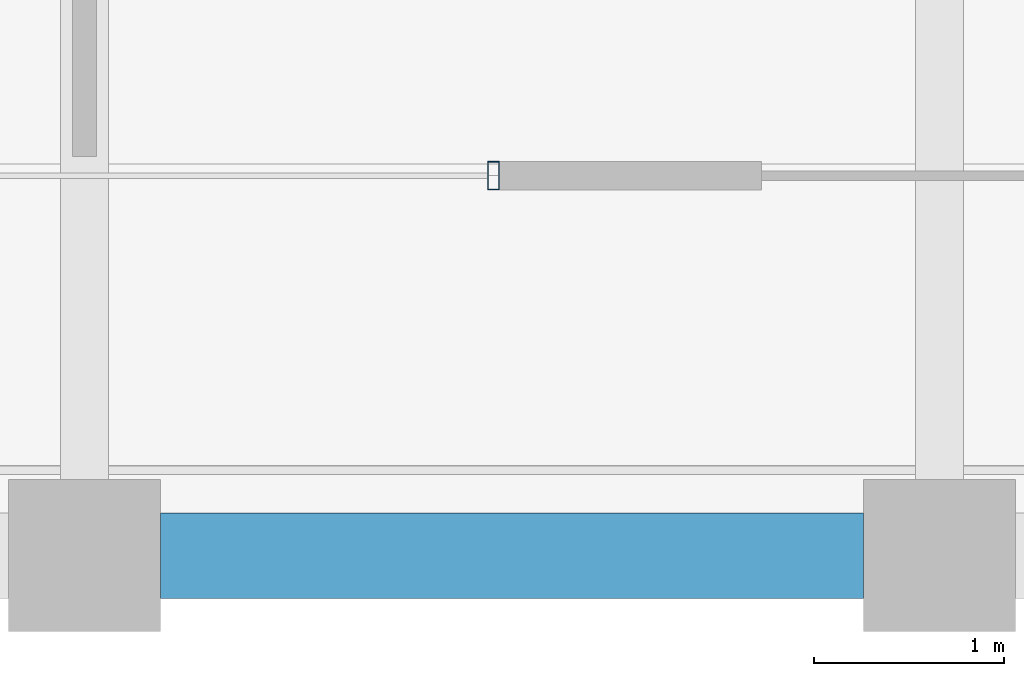
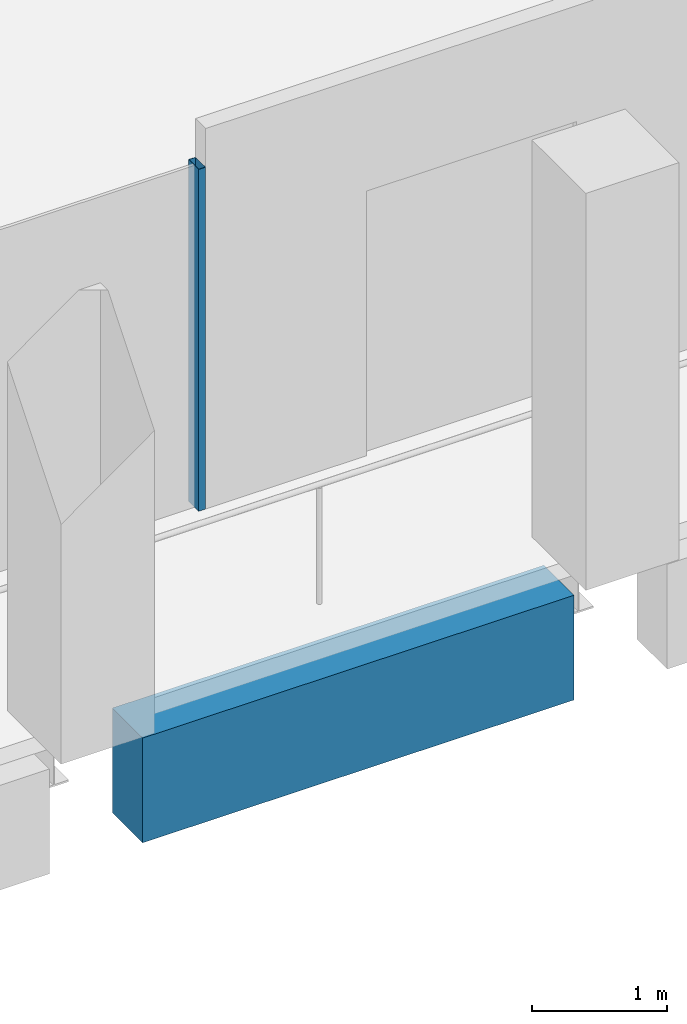
# One storey, part 7 of 30: 1 beam, 1 member, 1 element without a shape of its own.
"""IFC4 building model written with IfcOpenShell, lengths in metres."""

from ifc_helpers import new_model, si_unit, direction, frame, origin, origin_2d, place, context, subcontext, project, spatial, rectangle, hollow_rectangle, extrude, material, material_profile, profile_set, type_object, element, aggregate, save


model = new_model("IFC4")

# Units and contexts
model_context = context("Model", 3, precision=1e-05, world=origin(), true_north=direction((0.0, 1.0)))
body_context = subcontext(model_context, "Body", "Model", "MODEL_VIEW")
ifc_project = project(units=[si_unit("LENGTHUNIT", "METRE"), si_unit("AREAUNIT", "SQUARE_METRE"), si_unit("VOLUMEUNIT", "CUBIC_METRE"), si_unit("PLANEANGLEUNIT", "RADIAN"), si_unit("MASSUNIT", "GRAM", prefix="KILO")], contexts=[model_context])

# Site, building, storey
site_placement = place(None, origin())
site = spatial("IfcSite", under=ifc_project, at=site_placement, CompositionType="ELEMENT")
building_placement = place(site_placement, origin())
building = spatial("IfcBuilding", under=site, at=building_placement, Name="Altepetl Exchange Towers", CompositionType="ELEMENT")
storey_placement = place(building_placement, frame((0.0, 0.0, 220.800048828125)))
storey = spatial("IfcBuildingStorey", under=building, at=storey_placement, Name="L56", CompositionType="ELEMENT", Elevation=220.800048828125)

# Curtain wall, member
ifc_material_1 = material(Name="Aluminium 6063-T6 glazing", Category="aluminium")
curtain_wall_type = type_object("IfcCurtainWallType", Name="Loggia glazing system", PredefinedType="NOTDEFINED", material=ifc_material_1)
curtain_wall_placement = place(storey_placement, origin())
curtain_wall = element("IfcCurtainWall", 1, at=curtain_wall_placement, inside=storey, type_object=curtain_wall_type, Name="CW1 run", PredefinedType="NOTDEFINED")
ifc_material_2 = material(Name="Aluminium 6063-T6", Category="aluminium")
ifc_material_profile_1 = material_profile(ifc_material_2, hollow_rectangle(XDim=0.06005859375, YDim=0.14990234375, WallThickness=0.0029296875, at=origin_2d()), Name="Mullion 60x150 aluminium")
ifc_profile_set_1 = profile_set([ifc_material_profile_1], Name="Aluminium 6063-T6")
member_type = type_object("IfcMemberType", Name="Mullion 60x150 aluminium", PredefinedType="MULLION", material=ifc_profile_set_1)
member_placement = place(storey_placement, frame((47.152099609375, 29.0, 0.0)))
member = element("IfcMember", 2, at=member_placement, type_object=member_type, Name="MU1 mullion", PredefinedType="MULLION", context=body_context, shape_type="SweptSolid", body=[
    extrude(hollow_rectangle(XDim=0.06005859375, YDim=0.14990234375, WallThickness=0.0029296875, at=origin_2d()), origin(), (0.0, 0.0, 1.0), 3.099853515625),
])
aggregate(curtain_wall, [member])

# Beam
ifc_material_3 = material(Name="Concrete C50/60 precast with cantera blanca facing", Category="concrete")
ifc_material_profile_2 = material_profile(ifc_material_3, rectangle(XDim=0.449951171875, YDim=0.949951171875, at=origin_2d()), Name="450 x 950")
ifc_profile_set_2 = profile_set([ifc_material_profile_2], Name="Concrete C50/60 precast with cantera blanca facing")
beam_type = type_object("IfcBeamType", Name="Spandrel beam 450x950 cantera blanca", PredefinedType="SPANDREL", material=ifc_profile_set_2)
beam_placement = place(storey_placement, frame((45.39990234375, 27.0, -0.625), z_axis=(1.0, 0.0, 0.0), x_axis=(0.0, 1.0, 0.0)))
element("IfcBeam", 3, at=beam_placement, inside=storey, type_object=beam_type, Name="sp:A:L56:003", PredefinedType="SPANDREL", context=body_context, shape_type="SweptSolid", body=[
    extrude(rectangle(XDim=0.449951171875, YDim=0.949951171875, at=origin_2d()), origin(), (0.0, 0.0, 1.0), 3.7001953125),
])

save(model, "model.ifc")
